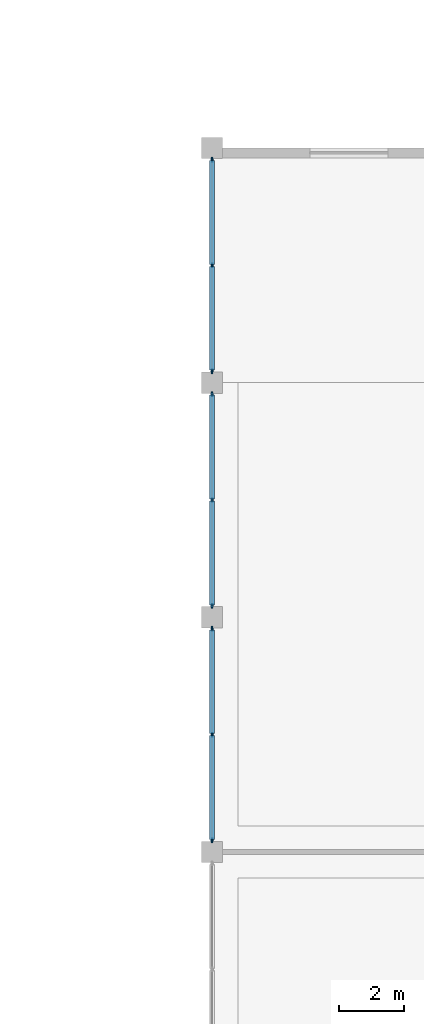
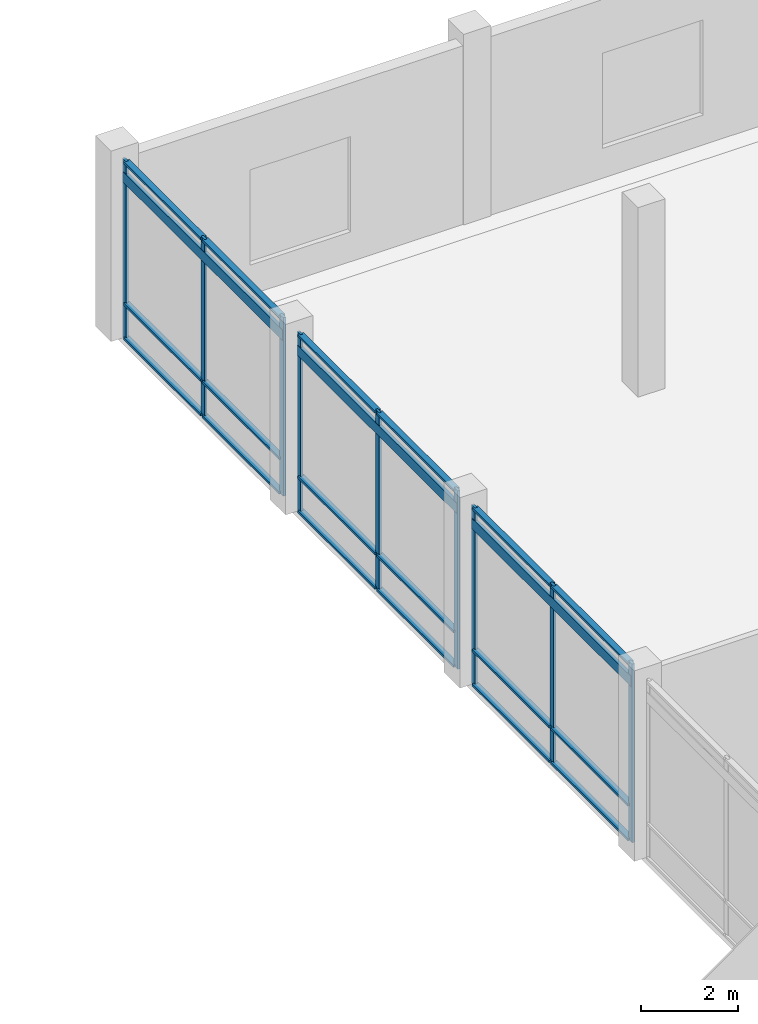
# One storey, part 26 of 52: 30 members, 3 elements without a shape of their own.
"""IFC4 building model written with IfcOpenShell, lengths in metres."""

from ifc_helpers import new_model, si_unit, direction, frame, origin, origin_2d, place, context, subcontext, project, spatial, rectangle, extrude, material, material_profile, profile_set, type_object, element, aggregate, save


model = new_model("IFC4")

# Units and contexts
model_context = context("Model", 3, precision=1e-05, world=origin(), true_north=direction((0.0, 1.0)))
body_context = subcontext(model_context, "Body", "Model", "MODEL_VIEW")
ifc_project = project(units=[si_unit("LENGTHUNIT", "METRE"), si_unit("AREAUNIT", "SQUARE_METRE"), si_unit("VOLUMEUNIT", "CUBIC_METRE"), si_unit("PLANEANGLEUNIT", "RADIAN"), si_unit("MASSUNIT", "GRAM", prefix="KILO")], contexts=[model_context])

# Site, building, storey
site_placement = place(None, origin())
site = spatial("IfcSite", under=ifc_project, at=site_placement, CompositionType="ELEMENT")
building_placement = place(site_placement, origin())
building = spatial("IfcBuilding", under=site, at=building_placement, Name="Kenerak Square Central Library", CompositionType="ELEMENT")
storey_placement = place(building_placement, frame((0.0, 0.0, 4.800048828125)))
storey = spatial("IfcBuildingStorey", under=building, at=storey_placement, Name="L01", CompositionType="ELEMENT", Elevation=4.800048828125)

# Members
ifc_material_1 = material(Name="Chengal hardwood timber SG1", Category="wood")
ifc_material_profile_1 = material_profile(ifc_material_1, rectangle(XDim=0.080078125, YDim=0.260009765625, at=origin_2d()), Name="CHENGAL 80x260")
ifc_profile_set_1 = profile_set([ifc_material_profile_1], Name="Chengal hardwood timber SG1")
member_type_1 = type_object("IfcMemberType", Name="Chengal Sun-Hood Blade CL-02 80x260", PredefinedType="USERDEFINED", material=ifc_profile_set_1)
member_1_placement = place(storey_placement, frame((150.800048828125, 45.89990234375, 4.050048828125), z_axis=(0.0, 1.0, 0.0), x_axis=(-1.0, 0.0, 0.0)))
element("IfcMember", 1, at=member_1_placement, inside=storey, type_object=member_type_1, Name="Chengal Sun-Hood Blade CL-02 03", ObjectType="LOUVRE BLADE", PredefinedType="USERDEFINED", context=body_context, shape_type="SweptSolid", body=[
    extrude(rectangle(XDim=0.080078125, YDim=0.260009765625, at=origin_2d()), origin(), (0.0, 0.0, 1.0), 6.60009765625),
])
for number, where, z_axis, x_axis, name in (
    (2, (150.800048828125, 53.10009765625, 4.050048828125), (0.0, 1.0, 0.0), (-1.0, 0.0, 0.0), "Chengal Sun-Hood Blade CL-02 04"),
    (3, (150.800048828125, 60.300048828125, 4.050048828125), (0.0, 1.0, 0.0), (-1.0, 0.0, 0.0), "Chengal Sun-Hood Blade CL-02 05"),
):
    element("IfcMember", number, at=place(storey_placement, frame(where, z_axis=z_axis, x_axis=x_axis)), inside=storey, type_object=member_type_1, Name=name, ObjectType="LOUVRE BLADE", PredefinedType="USERDEFINED", context=body_context, shape_type="SweptSolid", body=[
        extrude(rectangle(XDim=0.080078125, YDim=0.260009765625, at=origin_2d()), origin(), (0.0, 0.0, 1.0), 6.599853515625),
    ])

# Curtain wall, members
ifc_material_2 = material(Name="Anodised aluminium and solar-control low-E glazing", Category="aluminium")
curtain_wall_type = type_object("IfcCurtainWallType", Name="Curtain Wall CW-V2-65x45 6550x4500", PredefinedType="USERDEFINED", material=ifc_material_2)
curtain_wall_1_placement = place(storey_placement, origin())
curtain_wall_1 = element("IfcCurtainWall", 4, at=curtain_wall_1_placement, inside=storey, type_object=curtain_wall_type, Name="Curtain Wall CW-V2-65x45 L01 0040", ObjectType="CURTAIN WALL", PredefinedType="USERDEFINED")
ifc_material_3 = material(Name="Anodised aluminium 6063-T6", Category="aluminium")
ifc_material_profile_2 = material_profile(ifc_material_3, rectangle(XDim=0.06005859375, YDim=0.14990234375, at=origin_2d()), Name="AL MULLION 60x150")
ifc_profile_set_2 = profile_set([ifc_material_profile_2], Name="Anodised aluminium 6063-T6")
member_type_2 = type_object("IfcMemberType", Name="Curtain Mullion CM-03 60x150", PredefinedType="MULLION", material=ifc_profile_set_2)
member_2_placement = place(storey_placement, frame((150.800048828125, 45.955078125, 0.0), z_axis=(0.0, 0.0, 1.0), x_axis=(-1.0, 0.0, 0.0)))
member_2 = element("IfcMember", 5, at=member_2_placement, type_object=member_type_2, Name="CW-V2-65x45 Mullion 1", PredefinedType="MULLION", context=body_context, shape_type="SweptSolid", body=[
    extrude(rectangle(XDim=0.06005859375, YDim=0.14990234375, at=origin_2d()), origin(), (0.0, 0.0, 1.0), 4.5),
])
member_3_placement = place(storey_placement, frame((150.800048828125, 49.199951171875, 0.0), z_axis=(0.0, 0.0, 1.0), x_axis=(-1.0, 0.0, 0.0)))
member_3 = element("IfcMember", 6, at=member_3_placement, type_object=member_type_2, Name="CW-V2-65x45 Mullion 2", PredefinedType="MULLION", context=body_context, shape_type="SweptSolid", body=[
    extrude(rectangle(XDim=0.06005859375, YDim=0.14990234375, at=origin_2d()), origin(), (0.0, 0.0, 1.0), 4.5),
])
member_4_placement = place(storey_placement, frame((150.800048828125, 52.445068359375, 0.0), z_axis=(0.0, 0.0, 1.0), x_axis=(-1.0, 0.0, 0.0)))
member_4 = element("IfcMember", 7, at=member_4_placement, type_object=member_type_2, Name="CW-V2-65x45 Mullion 3", PredefinedType="MULLION", context=body_context, shape_type="SweptSolid", body=[
    extrude(rectangle(XDim=0.06005859375, YDim=0.14990234375, at=origin_2d()), origin(), (0.0, 0.0, 1.0), 4.5),
])

curtain_wall_2_placement = place(storey_placement, origin())
curtain_wall_2 = element("IfcCurtainWall", 8, at=curtain_wall_2_placement, inside=storey, type_object=curtain_wall_type, Name="Curtain Wall CW-V2-65x45 L01 0041", ObjectType="CURTAIN WALL", PredefinedType="USERDEFINED")
member_5_placement = place(storey_placement, frame((150.800048828125, 53.155029296875, 0.0), z_axis=(0.0, 0.0, 1.0), x_axis=(-1.0, 0.0, 0.0)))
member_5 = element("IfcMember", 9, at=member_5_placement, type_object=member_type_2, Name="CW-V2-65x45 Mullion 1", PredefinedType="MULLION", context=body_context, shape_type="SweptSolid", body=[
    extrude(rectangle(XDim=0.06005859375, YDim=0.14990234375, at=origin_2d()), origin(), (0.0, 0.0, 1.0), 4.5),
])
member_6_placement = place(storey_placement, frame((150.800048828125, 56.39990234375, 0.0), z_axis=(0.0, 0.0, 1.0), x_axis=(-1.0, 0.0, 0.0)))
member_6 = element("IfcMember", 10, at=member_6_placement, type_object=member_type_2, Name="CW-V2-65x45 Mullion 2", PredefinedType="MULLION", context=body_context, shape_type="SweptSolid", body=[
    extrude(rectangle(XDim=0.06005859375, YDim=0.14990234375, at=origin_2d()), origin(), (0.0, 0.0, 1.0), 4.5),
])
member_7_placement = place(storey_placement, frame((150.800048828125, 59.64501953125, 0.0), z_axis=(0.0, 0.0, 1.0), x_axis=(-1.0, 0.0, 0.0)))
member_7 = element("IfcMember", 11, at=member_7_placement, type_object=member_type_2, Name="CW-V2-65x45 Mullion 3", PredefinedType="MULLION", context=body_context, shape_type="SweptSolid", body=[
    extrude(rectangle(XDim=0.06005859375, YDim=0.14990234375, at=origin_2d()), origin(), (0.0, 0.0, 1.0), 4.5),
])

curtain_wall_3_placement = place(storey_placement, origin())
curtain_wall_3 = element("IfcCurtainWall", 12, at=curtain_wall_3_placement, inside=storey, type_object=curtain_wall_type, Name="Curtain Wall CW-V2-65x45 L01 0042", ObjectType="CURTAIN WALL", PredefinedType="USERDEFINED")
member_8_placement = place(storey_placement, frame((150.800048828125, 60.35498046875, 0.0), z_axis=(0.0, 0.0, 1.0), x_axis=(-1.0, 0.0, 0.0)))
member_8 = element("IfcMember", 13, at=member_8_placement, type_object=member_type_2, Name="CW-V2-65x45 Mullion 1", PredefinedType="MULLION", context=body_context, shape_type="SweptSolid", body=[
    extrude(rectangle(XDim=0.06005859375, YDim=0.14990234375, at=origin_2d()), origin(), (0.0, 0.0, 1.0), 4.5),
])
member_9_placement = place(storey_placement, frame((150.800048828125, 63.60009765625, 0.0), z_axis=(0.0, 0.0, 1.0), x_axis=(-1.0, 0.0, 0.0)))
member_9 = element("IfcMember", 14, at=member_9_placement, type_object=member_type_2, Name="CW-V2-65x45 Mullion 2", PredefinedType="MULLION", context=body_context, shape_type="SweptSolid", body=[
    extrude(rectangle(XDim=0.06005859375, YDim=0.14990234375, at=origin_2d()), origin(), (0.0, 0.0, 1.0), 4.5),
])
member_10_placement = place(storey_placement, frame((150.800048828125, 66.844970703125, 0.0), z_axis=(0.0, 0.0, 1.0), x_axis=(-1.0, 0.0, 0.0)))
member_10 = element("IfcMember", 15, at=member_10_placement, type_object=member_type_2, Name="CW-V2-65x45 Mullion 3", PredefinedType="MULLION", context=body_context, shape_type="SweptSolid", body=[
    extrude(rectangle(XDim=0.06005859375, YDim=0.14990234375, at=origin_2d()), origin(), (0.0, 0.0, 1.0), 4.5),
])

# Member
ifc_material_profile_3 = material_profile(ifc_material_3, rectangle(XDim=0.139892578125, YDim=0.06005859375, at=origin_2d()), Name="AL TRANSOM 140x60")
ifc_profile_set_3 = profile_set([ifc_material_profile_3], Name="Anodised aluminium 6063-T6")
member_type_3 = type_object("IfcMemberType", Name="Curtain Transom CT-13 140x60", PredefinedType="USERDEFINED", material=ifc_profile_set_3)
member_11_placement = place(storey_placement, frame((150.800048828125, 45.985107421875, 0.030029296875), z_axis=(0.0, 1.0, 0.0), x_axis=(-1.0, 0.0, 0.0)))
member_11 = element("IfcMember", 16, at=member_11_placement, type_object=member_type_3, Name="CW-V2-65x45 Transom 1.1", ObjectType="TRANSOM", PredefinedType="USERDEFINED", context=body_context, shape_type="SweptSolid", body=[
    extrude(rectangle(XDim=0.139892578125, YDim=0.06005859375, at=origin_2d()), origin(), (0.0, 0.0, 1.0), 3.184814453125),
])

member_12_placement = place(storey_placement, frame((150.800048828125, 45.985107421875, 0.89990234375), z_axis=(0.0, 1.0, 0.0), x_axis=(-1.0, 0.0, 0.0)))
member_12 = element("IfcMember", 17, at=member_12_placement, type_object=member_type_3, Name="CW-V2-65x45 Transom 1.2", ObjectType="TRANSOM", PredefinedType="USERDEFINED", context=body_context, shape_type="SweptSolid", body=[
    extrude(rectangle(XDim=0.139892578125, YDim=0.06005859375, at=origin_2d()), origin(), (0.0, 0.0, 1.0), 3.184814453125),
])

member_13_placement = place(storey_placement, frame((150.800048828125, 45.985107421875, 4.469970703125), z_axis=(0.0, 1.0, 0.0), x_axis=(-1.0, 0.0, 0.0)))
member_13 = element("IfcMember", 18, at=member_13_placement, type_object=member_type_3, Name="CW-V2-65x45 Transom 1.3", ObjectType="TRANSOM", PredefinedType="USERDEFINED", context=body_context, shape_type="SweptSolid", body=[
    extrude(rectangle(XDim=0.139892578125, YDim=0.06005859375, at=origin_2d()), origin(), (0.0, 0.0, 1.0), 3.184814453125),
])

member_14_placement = place(storey_placement, frame((150.800048828125, 49.22998046875, 0.030029296875), z_axis=(0.0, 1.0, 0.0), x_axis=(-1.0, 0.0, 0.0)))
member_14 = element("IfcMember", 19, at=member_14_placement, type_object=member_type_3, Name="CW-V2-65x45 Transom 2.1", ObjectType="TRANSOM", PredefinedType="USERDEFINED", context=body_context, shape_type="SweptSolid", body=[
    extrude(rectangle(XDim=0.139892578125, YDim=0.06005859375, at=origin_2d()), origin(), (0.0, 0.0, 1.0), 3.18505859375),
])

member_15_placement = place(storey_placement, frame((150.800048828125, 49.22998046875, 0.89990234375), z_axis=(0.0, 1.0, 0.0), x_axis=(-1.0, 0.0, 0.0)))
member_15 = element("IfcMember", 20, at=member_15_placement, type_object=member_type_3, Name="CW-V2-65x45 Transom 2.2", ObjectType="TRANSOM", PredefinedType="USERDEFINED", context=body_context, shape_type="SweptSolid", body=[
    extrude(rectangle(XDim=0.139892578125, YDim=0.06005859375, at=origin_2d()), origin(), (0.0, 0.0, 1.0), 3.18505859375),
])

member_16_placement = place(storey_placement, frame((150.800048828125, 49.22998046875, 4.469970703125), z_axis=(0.0, 1.0, 0.0), x_axis=(-1.0, 0.0, 0.0)))
member_16 = element("IfcMember", 21, at=member_16_placement, type_object=member_type_3, Name="CW-V2-65x45 Transom 2.3", ObjectType="TRANSOM", PredefinedType="USERDEFINED", context=body_context, shape_type="SweptSolid", body=[
    extrude(rectangle(XDim=0.139892578125, YDim=0.06005859375, at=origin_2d()), origin(), (0.0, 0.0, 1.0), 3.18505859375),
])

aggregate(curtain_wall_1, [member_2, member_3, member_4, member_11, member_12, member_13, member_14, member_15, member_16])

member_17_placement = place(storey_placement, frame((150.800048828125, 53.18505859375, 0.030029296875), z_axis=(0.0, 1.0, 0.0), x_axis=(-1.0, 0.0, 0.0)))
member_17 = element("IfcMember", 22, at=member_17_placement, type_object=member_type_3, Name="CW-V2-65x45 Transom 1.1", ObjectType="TRANSOM", PredefinedType="USERDEFINED", context=body_context, shape_type="SweptSolid", body=[
    extrude(rectangle(XDim=0.139892578125, YDim=0.06005859375, at=origin_2d()), origin(), (0.0, 0.0, 1.0), 3.18505859375),
])

member_18_placement = place(storey_placement, frame((150.800048828125, 53.18505859375, 0.89990234375), z_axis=(0.0, 1.0, 0.0), x_axis=(-1.0, 0.0, 0.0)))
member_18 = element("IfcMember", 23, at=member_18_placement, type_object=member_type_3, Name="CW-V2-65x45 Transom 1.2", ObjectType="TRANSOM", PredefinedType="USERDEFINED", context=body_context, shape_type="SweptSolid", body=[
    extrude(rectangle(XDim=0.139892578125, YDim=0.06005859375, at=origin_2d()), origin(), (0.0, 0.0, 1.0), 3.18505859375),
])

member_19_placement = place(storey_placement, frame((150.800048828125, 53.18505859375, 4.469970703125), z_axis=(0.0, 1.0, 0.0), x_axis=(-1.0, 0.0, 0.0)))
member_19 = element("IfcMember", 24, at=member_19_placement, type_object=member_type_3, Name="CW-V2-65x45 Transom 1.3", ObjectType="TRANSOM", PredefinedType="USERDEFINED", context=body_context, shape_type="SweptSolid", body=[
    extrude(rectangle(XDim=0.139892578125, YDim=0.06005859375, at=origin_2d()), origin(), (0.0, 0.0, 1.0), 3.18505859375),
])

member_20_placement = place(storey_placement, frame((150.800048828125, 56.429931640625, 0.030029296875), z_axis=(0.0, 1.0, 0.0), x_axis=(-1.0, 0.0, 0.0)))
member_20 = element("IfcMember", 25, at=member_20_placement, type_object=member_type_3, Name="CW-V2-65x45 Transom 2.1", ObjectType="TRANSOM", PredefinedType="USERDEFINED", context=body_context, shape_type="SweptSolid", body=[
    extrude(rectangle(XDim=0.139892578125, YDim=0.06005859375, at=origin_2d()), origin(), (0.0, 0.0, 1.0), 3.18505859375),
])

member_21_placement = place(storey_placement, frame((150.800048828125, 56.429931640625, 0.89990234375), z_axis=(0.0, 1.0, 0.0), x_axis=(-1.0, 0.0, 0.0)))
member_21 = element("IfcMember", 26, at=member_21_placement, type_object=member_type_3, Name="CW-V2-65x45 Transom 2.2", ObjectType="TRANSOM", PredefinedType="USERDEFINED", context=body_context, shape_type="SweptSolid", body=[
    extrude(rectangle(XDim=0.139892578125, YDim=0.06005859375, at=origin_2d()), origin(), (0.0, 0.0, 1.0), 3.18505859375),
])

member_22_placement = place(storey_placement, frame((150.800048828125, 56.429931640625, 4.469970703125), z_axis=(0.0, 1.0, 0.0), x_axis=(-1.0, 0.0, 0.0)))
member_22 = element("IfcMember", 27, at=member_22_placement, type_object=member_type_3, Name="CW-V2-65x45 Transom 2.3", ObjectType="TRANSOM", PredefinedType="USERDEFINED", context=body_context, shape_type="SweptSolid", body=[
    extrude(rectangle(XDim=0.139892578125, YDim=0.06005859375, at=origin_2d()), origin(), (0.0, 0.0, 1.0), 3.18505859375),
])

aggregate(curtain_wall_2, [member_5, member_6, member_7, member_17, member_18, member_19, member_20, member_21, member_22])

member_23_placement = place(storey_placement, frame((150.800048828125, 60.385009765625, 0.030029296875), z_axis=(0.0, 1.0, 0.0), x_axis=(-1.0, 0.0, 0.0)))
member_23 = element("IfcMember", 28, at=member_23_placement, type_object=member_type_3, Name="CW-V2-65x45 Transom 1.1", ObjectType="TRANSOM", PredefinedType="USERDEFINED", context=body_context, shape_type="SweptSolid", body=[
    extrude(rectangle(XDim=0.139892578125, YDim=0.06005859375, at=origin_2d()), origin(), (0.0, 0.0, 1.0), 3.18505859375),
])

member_24_placement = place(storey_placement, frame((150.800048828125, 60.385009765625, 0.89990234375), z_axis=(0.0, 1.0, 0.0), x_axis=(-1.0, 0.0, 0.0)))
member_24 = element("IfcMember", 29, at=member_24_placement, type_object=member_type_3, Name="CW-V2-65x45 Transom 1.2", ObjectType="TRANSOM", PredefinedType="USERDEFINED", context=body_context, shape_type="SweptSolid", body=[
    extrude(rectangle(XDim=0.139892578125, YDim=0.06005859375, at=origin_2d()), origin(), (0.0, 0.0, 1.0), 3.18505859375),
])

member_25_placement = place(storey_placement, frame((150.800048828125, 60.385009765625, 4.469970703125), z_axis=(0.0, 1.0, 0.0), x_axis=(-1.0, 0.0, 0.0)))
member_25 = element("IfcMember", 30, at=member_25_placement, type_object=member_type_3, Name="CW-V2-65x45 Transom 1.3", ObjectType="TRANSOM", PredefinedType="USERDEFINED", context=body_context, shape_type="SweptSolid", body=[
    extrude(rectangle(XDim=0.139892578125, YDim=0.06005859375, at=origin_2d()), origin(), (0.0, 0.0, 1.0), 3.18505859375),
])

member_26_placement = place(storey_placement, frame((150.800048828125, 63.6298828125, 0.030029296875), z_axis=(0.0, 1.0, 0.0), x_axis=(-1.0, 0.0, 0.0)))
member_26 = element("IfcMember", 31, at=member_26_placement, type_object=member_type_3, Name="CW-V2-65x45 Transom 2.1", ObjectType="TRANSOM", PredefinedType="USERDEFINED", context=body_context, shape_type="SweptSolid", body=[
    extrude(rectangle(XDim=0.139892578125, YDim=0.06005859375, at=origin_2d()), origin(), (0.0, 0.0, 1.0), 3.18505859375),
])

member_27_placement = place(storey_placement, frame((150.800048828125, 63.6298828125, 0.89990234375), z_axis=(0.0, 1.0, 0.0), x_axis=(-1.0, 0.0, 0.0)))
member_27 = element("IfcMember", 32, at=member_27_placement, type_object=member_type_3, Name="CW-V2-65x45 Transom 2.2", ObjectType="TRANSOM", PredefinedType="USERDEFINED", context=body_context, shape_type="SweptSolid", body=[
    extrude(rectangle(XDim=0.139892578125, YDim=0.06005859375, at=origin_2d()), origin(), (0.0, 0.0, 1.0), 3.18505859375),
])

member_28_placement = place(storey_placement, frame((150.800048828125, 63.6298828125, 4.469970703125), z_axis=(0.0, 1.0, 0.0), x_axis=(-1.0, 0.0, 0.0)))
member_28 = element("IfcMember", 33, at=member_28_placement, type_object=member_type_3, Name="CW-V2-65x45 Transom 2.3", ObjectType="TRANSOM", PredefinedType="USERDEFINED", context=body_context, shape_type="SweptSolid", body=[
    extrude(rectangle(XDim=0.139892578125, YDim=0.06005859375, at=origin_2d()), origin(), (0.0, 0.0, 1.0), 3.18505859375),
])

aggregate(curtain_wall_3, [member_8, member_9, member_10, member_23, member_24, member_25, member_26, member_27, member_28])

save(model, "model.ifc")
